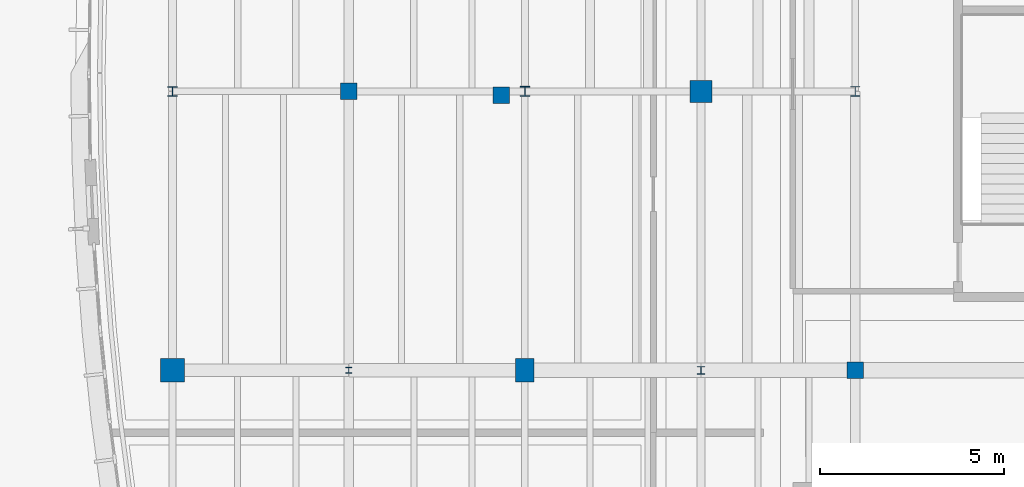
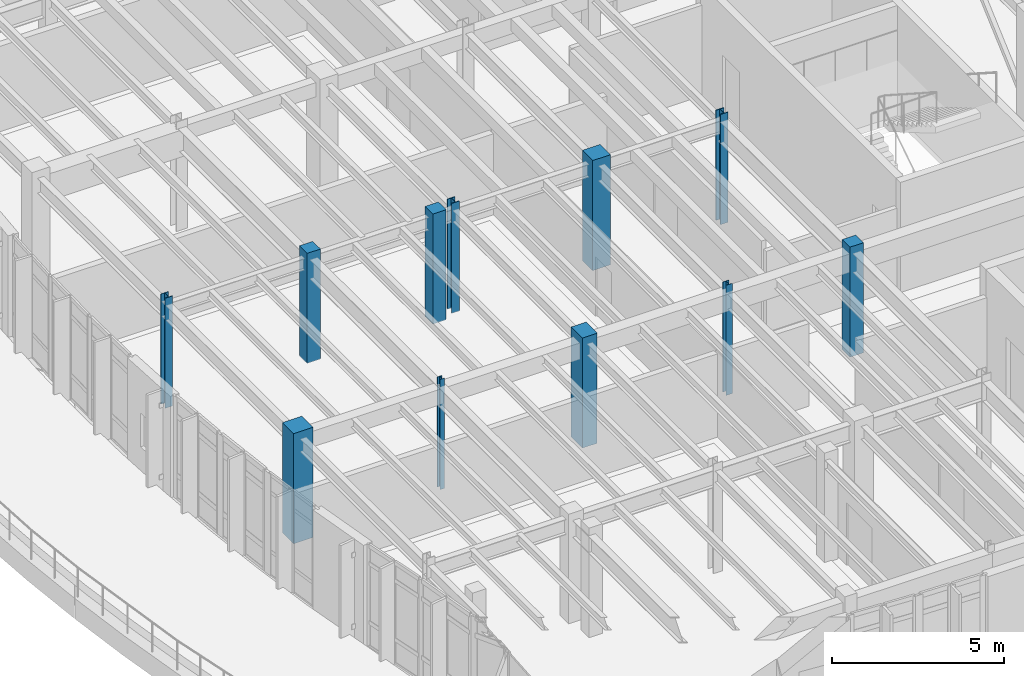
# One storey, part 6 of 105: 11 columns.
"""IFC4 building model written with IfcOpenShell, lengths in metres."""

from ifc_helpers import new_model, si_unit, direction, frame, origin, origin_2d, place, context, subcontext, project, spatial, rectangle, i_section, extrude, material, material_profile, profile_set, type_object, element, save


model = new_model("IFC4")

# Units and contexts
model_context = context("Model", 3, precision=1e-05, world=origin(), true_north=direction((0.0, 1.0)))
body_context = subcontext(model_context, "Body", "Model", "MODEL_VIEW")
ifc_project = project(units=[si_unit("LENGTHUNIT", "METRE"), si_unit("AREAUNIT", "SQUARE_METRE"), si_unit("VOLUMEUNIT", "CUBIC_METRE"), si_unit("PLANEANGLEUNIT", "RADIAN"), si_unit("MASSUNIT", "GRAM", prefix="KILO")], contexts=[model_context])

# Site, building, storey
site_placement = place(None, origin())
site = spatial("IfcSite", under=ifc_project, at=site_placement, CompositionType="ELEMENT")
building_placement = place(site_placement, origin())
building = spatial("IfcBuilding", under=site, at=building_placement, Name="Corveleigh Park Community Centre", CompositionType="ELEMENT")
storey_placement = place(building_placement, frame((0.0, 0.0, 8.699951171875)))
storey = spatial("IfcBuildingStorey", under=building, at=storey_placement, Name="L02", CompositionType="ELEMENT", Elevation=8.699951171875)

# Columns
ifc_material_1 = material(Name="Concrete C40/50", Category="concrete")
ifc_material_profile_1 = material_profile(ifc_material_1, rectangle(XDim=0.449951171875, YDim=0.449951171875, at=origin_2d()), Name="RC-450x450", Category="concrete")
ifc_profile_set_1 = profile_set([ifc_material_profile_1], Name="Concrete C40/50")
column_type_1 = type_object("IfcColumnType", Name="COL-RC-450x450", PredefinedType="COLUMN", material=ifc_profile_set_1)
for number, where, z_axis, x_axis, name in (
    (1, (144.199951171875, 81.39990234375, 0.0), (0.0, 0.0, 1.0), (1.0, 0.0, 0.0), "Column V4-X3Y3 L02"),
    (2, (158.0, 73.800048828125, 0.0), (0.0, 0.0, 1.0), (1.0, 0.0, 0.0), "Column V4-X6Y2 L02"),
    (3, (148.35302734375, 81.300048828125, 0.0), (0.0, 0.0, 1.0), (1.0, 0.0, 0.0), "External deck support pier 138 L02"),
):
    element("IfcColumn", number, at=place(storey_placement, frame(where, z_axis=z_axis, x_axis=x_axis)), inside=storey, type_object=column_type_1, Name=name, PredefinedType="COLUMN", context=body_context, shape_type="SweptSolid", body=[
        extrude(rectangle(XDim=0.449951171875, YDim=0.449951171875, at=origin_2d()), origin(), (0.0, 0.0, 1.0), 3.900146484375),
    ])
ifc_material_profile_2 = material_profile(ifc_material_1, rectangle(XDim=0.5, YDim=0.64990234375, at=origin_2d()), Name="RC-500x650", Category="concrete")
ifc_profile_set_2 = profile_set([ifc_material_profile_2], Name="Concrete C40/50")
column_type_2 = type_object("IfcColumnType", Name="COL-RC-500x650", PredefinedType="COLUMN", material=ifc_profile_set_2)
column_1_placement = place(storey_placement, frame((149.0, 73.800048828125, 0.0), z_axis=(0.0, 0.0, 1.0), x_axis=(1.0, 0.0, 0.0)))
element("IfcColumn", 4, at=column_1_placement, inside=storey, type_object=column_type_2, Name="Column V4-X4Y2 L02", PredefinedType="COLUMN", context=body_context, shape_type="SweptSolid", body=[
    extrude(rectangle(XDim=0.5, YDim=0.64990234375, at=origin_2d()), origin(), (0.0, 0.0, 1.0), 3.900146484375),
])
ifc_material_profile_3 = material_profile(ifc_material_1, rectangle(XDim=0.60009765625, YDim=0.60009765625, at=origin_2d()), Name="RC-600x600", Category="concrete")
ifc_profile_set_3 = profile_set([ifc_material_profile_3], Name="Concrete C40/50")
column_type_3 = type_object("IfcColumnType", Name="COL-RC-600x600", PredefinedType="COLUMN", material=ifc_profile_set_3)
column_2_placement = place(storey_placement, frame((153.800048828125, 81.39990234375, 0.0), z_axis=(0.0, 0.0, 1.0), x_axis=(1.0, 0.0, 0.0)))
element("IfcColumn", 5, at=column_2_placement, inside=storey, type_object=column_type_3, Name="Column V4-X5Y3 L02", PredefinedType="COLUMN", context=body_context, shape_type="SweptSolid", body=[
    extrude(rectangle(XDim=0.60009765625, YDim=0.60009765625, at=origin_2d()), origin(), (0.0, 0.0, 1.0), 3.900146484375),
])
ifc_material_profile_4 = material_profile(ifc_material_1, rectangle(XDim=0.64990234375, YDim=0.64990234375, at=origin_2d()), Name="RC-650x650", Category="concrete")
ifc_profile_set_4 = profile_set([ifc_material_profile_4], Name="Concrete C40/50")
column_type_4 = type_object("IfcColumnType", Name="COL-RC-650x650", PredefinedType="COLUMN", material=ifc_profile_set_4)
column_3_placement = place(storey_placement, frame((139.39990234375, 73.800048828125, 0.0), z_axis=(0.0, 0.0, 1.0), x_axis=(1.0, 0.0, 0.0)))
element("IfcColumn", 6, at=column_3_placement, inside=storey, type_object=column_type_4, Name="Column V4-X2Y2 L02", PredefinedType="COLUMN", context=body_context, shape_type="SweptSolid", body=[
    extrude(rectangle(XDim=0.64990234375, YDim=0.64990234375, at=origin_2d()), origin(), (0.0, 0.0, 1.0), 3.900146484375),
])
ifc_material_2 = material(Name="Steel S355", Category="steel")
ifc_material_profile_5 = material_profile(ifc_material_2, i_section(OverallWidth=0.154296875, OverallDepth=0.161865234375, WebThickness=0.008056640625, FlangeThickness=0.011474609375, at=origin_2d()), Name="UKC 152x152x37", Category="steel")
ifc_profile_set_5 = profile_set([ifc_material_profile_5], Name="Steel S355")
column_type_5 = type_object("IfcColumnType", Name="COL-STL-UKC152x37", PredefinedType="COLUMN", material=ifc_profile_set_5)
column_4_placement = place(storey_placement, frame((144.199951171875, 73.800048828125, 0.0), z_axis=(0.0, 0.0, 1.0), x_axis=(1.0, 0.0, 0.0)))
element("IfcColumn", 7, at=column_4_placement, inside=storey, type_object=column_type_5, Name="Column V4-X3Y2 L02", PredefinedType="COLUMN", context=body_context, shape_type="SweptSolid", body=[
    extrude(i_section(OverallWidth=0.154296875, OverallDepth=0.161865234375, WebThickness=0.008056640625, FlangeThickness=0.011474609375, at=origin_2d()), origin(), (0.0, 0.0, 1.0), 3.900146484375),
])
ifc_material_profile_6 = material_profile(ifc_material_2, i_section(OverallWidth=0.20361328125, OverallDepth=0.203125, WebThickness=0.007080078125, FlangeThickness=0.010986328125, at=origin_2d()), Name="UKC 203x203x46", Category="steel")
ifc_profile_set_6 = profile_set([ifc_material_profile_6], Name="Steel S355")
column_type_6 = type_object("IfcColumnType", Name="COL-STL-UKC203x46", PredefinedType="COLUMN", material=ifc_profile_set_6)
column_5_placement = place(storey_placement, frame((153.800048828125, 73.800048828125, 0.0), z_axis=(0.0, 0.0, 1.0), x_axis=(1.0, 0.0, 0.0)))
element("IfcColumn", 8, at=column_5_placement, inside=storey, type_object=column_type_6, Name="Column V4-X5Y2 L02", PredefinedType="COLUMN", context=body_context, shape_type="SweptSolid", body=[
    extrude(i_section(OverallWidth=0.20361328125, OverallDepth=0.203125, WebThickness=0.007080078125, FlangeThickness=0.010986328125, at=origin_2d()), origin(), (0.0, 0.0, 1.0), 3.900146484375),
])
ifc_material_profile_7 = material_profile(ifc_material_2, i_section(OverallWidth=0.2587890625, OverallDepth=0.2666015625, WebThickness=0.0126953125, FlangeThickness=0.0205078125, at=origin_2d()), Name="UKC 254x254x107", Category="steel")
ifc_profile_set_7 = profile_set([ifc_material_profile_7], Name="Steel S355")
column_type_7 = type_object("IfcColumnType", Name="COL-STL-UKC254x107", PredefinedType="COLUMN", material=ifc_profile_set_7)
column_6_placement = place(storey_placement, frame((149.0, 81.39990234375, 0.0), z_axis=(0.0, 0.0, 1.0), x_axis=(1.0, 0.0, 0.0)))
element("IfcColumn", 9, at=column_6_placement, inside=storey, type_object=column_type_7, Name="Column V4-X4Y3 L02", PredefinedType="COLUMN", context=body_context, shape_type="SweptSolid", body=[
    extrude(i_section(OverallWidth=0.2587890625, OverallDepth=0.2666015625, WebThickness=0.0126953125, FlangeThickness=0.0205078125, at=origin_2d()), origin(), (0.0, 0.0, 1.0), 3.900146484375),
])
ifc_material_profile_8 = material_profile(ifc_material_2, i_section(OverallWidth=0.26123046875, OverallDepth=0.2763671875, WebThickness=0.015380859375, FlangeThickness=0.025390625, at=origin_2d()), Name="UKC 254x254x132", Category="steel")
ifc_profile_set_8 = profile_set([ifc_material_profile_8], Name="Steel S355")
column_type_8 = type_object("IfcColumnType", Name="COL-STL-UKC254x132", PredefinedType="COLUMN", material=ifc_profile_set_8)
column_7_placement = place(storey_placement, frame((158.0, 81.39990234375, 0.0), z_axis=(0.0, 0.0, 1.0), x_axis=(1.0, 0.0, 0.0)))
element("IfcColumn", 10, at=column_7_placement, inside=storey, type_object=column_type_8, Name="Column V4-X6Y3 L02", PredefinedType="COLUMN", context=body_context, shape_type="SweptSolid", body=[
    extrude(i_section(OverallWidth=0.26123046875, OverallDepth=0.2763671875, WebThickness=0.015380859375, FlangeThickness=0.025390625, at=origin_2d()), origin(), (0.0, 0.0, 1.0), 3.900146484375),
])
ifc_material_profile_9 = material_profile(ifc_material_2, i_section(OverallWidth=0.25634765625, OverallDepth=0.26025390625, WebThickness=0.01025390625, FlangeThickness=0.017333984375, at=origin_2d()), Name="UKC 254x254x89", Category="steel")
ifc_profile_set_9 = profile_set([ifc_material_profile_9], Name="Steel S355")
column_type_9 = type_object("IfcColumnType", Name="COL-STL-UKC254x89", PredefinedType="COLUMN", material=ifc_profile_set_9)
column_8_placement = place(storey_placement, frame((139.39990234375, 81.39990234375, 0.0), z_axis=(0.0, 0.0, 1.0), x_axis=(1.0, 0.0, 0.0)))
element("IfcColumn", 11, at=column_8_placement, inside=storey, type_object=column_type_9, Name="Column V4-X2Y3 L02", PredefinedType="COLUMN", context=body_context, shape_type="SweptSolid", body=[
    extrude(i_section(OverallWidth=0.25634765625, OverallDepth=0.26025390625, WebThickness=0.01025390625, FlangeThickness=0.017333984375, at=origin_2d()), origin(), (0.0, 0.0, 1.0), 3.900146484375),
])

save(model, "model.ifc")
